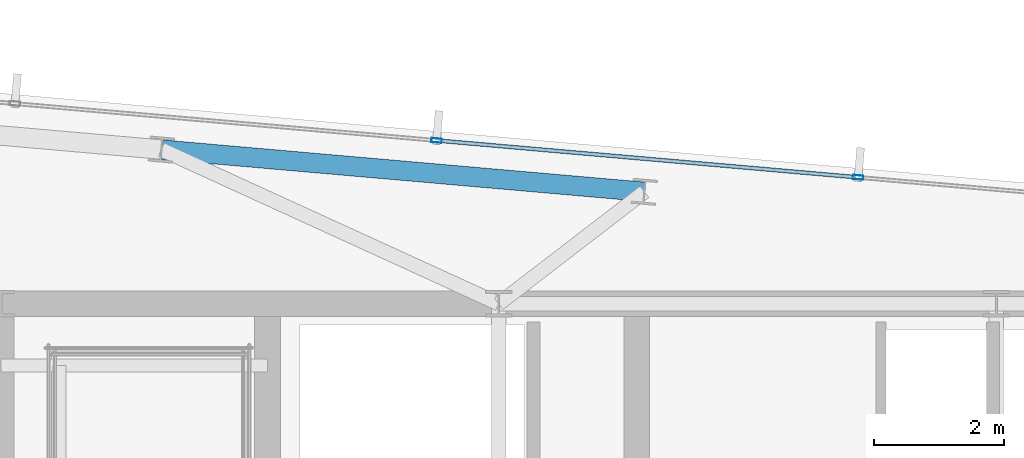
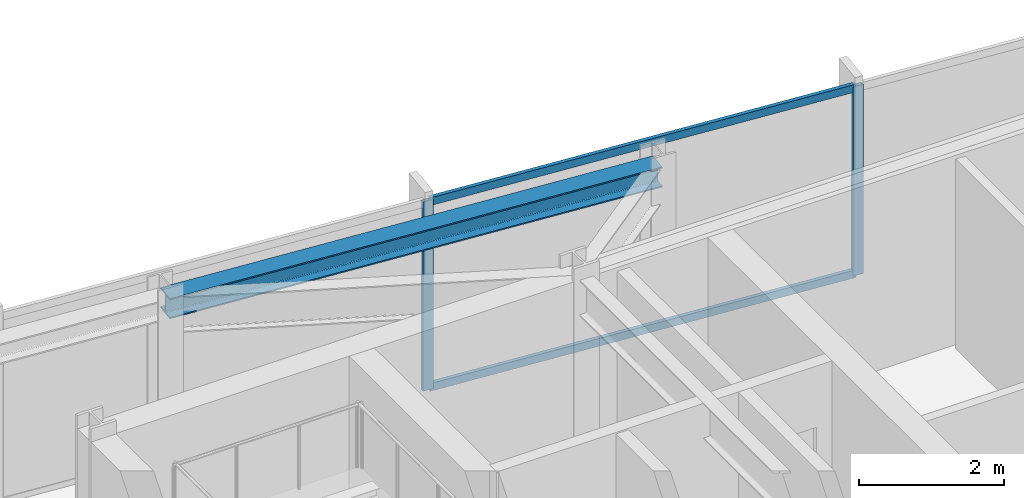
# One storey, part 25 of 32: 4 members, 1 beam, 1 element without a shape of its own.
"""IFC4 building model written with IfcOpenShell, lengths in metres."""

from ifc_helpers import new_model, si_unit, direction, frame, origin, origin_2d, place, context, subcontext, project, spatial, hollow_rectangle, i_section, extrude, material, material_profile, profile_set, type_object, element, aggregate, save


model = new_model("IFC4")

# Units and contexts
model_context = context("Model", 3, precision=1e-05, world=origin(), true_north=direction((0.0, 1.0)))
body_context = subcontext(model_context, "Body", "Model", "MODEL_VIEW")
ifc_project = project(units=[si_unit("LENGTHUNIT", "METRE"), si_unit("AREAUNIT", "SQUARE_METRE"), si_unit("VOLUMEUNIT", "CUBIC_METRE"), si_unit("PLANEANGLEUNIT", "RADIAN"), si_unit("MASSUNIT", "GRAM", prefix="KILO")], contexts=[model_context])

# Site, building, storey
site_placement = place(None, origin())
site = spatial("IfcSite", under=ifc_project, at=site_placement, CompositionType="ELEMENT")
building_placement = place(site_placement, origin())
building = spatial("IfcBuilding", under=site, at=building_placement, Name="Yelkora Congress Tower", CompositionType="ELEMENT")
storey_placement = place(building_placement, frame((0.0, 0.0, 272.699951171875)))
storey = spatial("IfcBuildingStorey", under=building, at=storey_placement, Name="L76", CompositionType="ELEMENT", Elevation=272.699951171875)

# Beam
ifc_material_1 = material(Name="Steel S355J2", Category="steel")
ifc_material_profile_1 = material_profile(ifc_material_1, i_section(OverallWidth=0.300048828125, OverallDepth=0.340087890625, WebThickness=0.011962890625, FlangeThickness=0.021484375, FilletRadius=0.027099609375, at=origin_2d()), Name="HEB 340")
ifc_profile_set_1 = profile_set([ifc_material_profile_1], Name="Steel S355J2")
beam_type = type_object("IfcBeamType", Name="BM-SPAN-HEB340", PredefinedType="SPANDREL", material=ifc_profile_set_1)
beam_placement = place(storey_placement, frame((32.968505859375, 47.927490234375, 3.010009765625), z_axis=(-0.996195771192, 0.087143476284, 0.0), x_axis=(-0.087143476284, -0.996195771192, 0.0)))
element("IfcBeam", 1, at=beam_placement, inside=storey, type_object=beam_type, Name="L76 Perimeter Beam 10", PredefinedType="SPANDREL", context=body_context, shape_type="SweptSolid", body=[
    extrude(i_section(OverallWidth=0.300048828125, OverallDepth=0.340087890625, WebThickness=0.011962890625, FlangeThickness=0.021484375, FilletRadius=0.027099609375, at=origin_2d()), origin(), (0.0, 0.0, 1.0), 7.483154296875),
])

# Curtain wall, members
ifc_material_2 = material(Name="Anodised aluminium and insulated glass", Category="aluminium")
curtain_wall_type = type_object("IfcCurtainWallType", Name="CW-SYS-B5", PredefinedType="NOTDEFINED", material=ifc_material_2)
curtain_wall_placement = place(storey_placement, origin())
curtain_wall = element("IfcCurtainWall", 2, at=curtain_wall_placement, inside=storey, type_object=curtain_wall_type, Name="L76 Unitised Curtain Wall 10", PredefinedType="NOTDEFINED")
ifc_material_3 = material(Name="Anodised aluminium 6063-T6", Category="aluminium")
ifc_material_profile_2 = material_profile(ifc_material_3, hollow_rectangle(XDim=0.06494140625, YDim=0.159912109375, WallThickness=0.00390625, at=origin_2d()), Name="ALU 65x160x4")
ifc_profile_set_2 = profile_set([ifc_material_profile_2], Name="Anodised aluminium 6063-T6")
member_type_1 = type_object("IfcMemberType", Name="MEM-ML-B5", PredefinedType="MULLION", material=ifc_profile_set_2)
member_1_placement = place(storey_placement, frame((29.759765625, 48.719970703125, 0.0), z_axis=(0.0, 0.0, 1.0), x_axis=(0.087156639893, 0.996194619601, 0.0)))
member_1 = element("IfcMember", 3, at=member_1_placement, type_object=member_type_1, Name="CW-B5 mullion 4", PredefinedType="MULLION", context=body_context, shape_type="SweptSolid", body=[
    extrude(hollow_rectangle(XDim=0.06494140625, YDim=0.159912109375, WallThickness=0.00390625, at=origin_2d()), origin(), (0.0, 0.0, 1.0), 3.179931640625),
])
member_2_placement = place(storey_placement, frame((36.266357421875, 48.15087890625, 0.0), z_axis=(0.0, 0.0, 1.0), x_axis=(0.087156639893, 0.996194619601, 0.0)))
member_2 = element("IfcMember", 4, at=member_2_placement, type_object=member_type_1, Name="CW-B5 mullion 5", PredefinedType="MULLION", context=body_context, shape_type="SweptSolid", body=[
    extrude(hollow_rectangle(XDim=0.06494140625, YDim=0.159912109375, WallThickness=0.00390625, at=origin_2d()), origin(), (0.0, 0.0, 1.0), 3.179931640625),
])
ifc_material_profile_3 = material_profile(ifc_material_3, hollow_rectangle(XDim=0.06005859375, YDim=0.1298828125, WallThickness=0.00390625, at=origin_2d()), Name="ALU 60x130x4")
ifc_profile_set_3 = profile_set([ifc_material_profile_3], Name="Anodised aluminium 6063-T6")
member_type_2 = type_object("IfcMemberType", Name="MEM-TR-B5", PredefinedType="USERDEFINED", material=ifc_profile_set_3)
member_3_placement = place(storey_placement, frame((29.7919921875, 48.71728515625, 0.030029296875), z_axis=(0.996192979814, -0.08717538052, 0.0), x_axis=(0.08717538052, 0.996192979814, 0.0)))
member_3 = element("IfcMember", 5, at=member_3_placement, type_object=member_type_2, Name="CW-B5 transom 4.1", ObjectType="TRANSOM", PredefinedType="USERDEFINED", context=body_context, shape_type="SweptSolid", body=[
    extrude(hollow_rectangle(XDim=0.06005859375, YDim=0.1298828125, WallThickness=0.00390625, at=origin_2d()), origin(), (0.0, 0.0, 1.0), 6.466552734375),
])
member_4_placement = place(storey_placement, frame((29.7919921875, 48.71728515625, 3.150146484375), z_axis=(0.996192979814, -0.08717538052, 0.0), x_axis=(0.08717538052, 0.996192979814, 0.0)))
member_4 = element("IfcMember", 6, at=member_4_placement, type_object=member_type_2, Name="CW-B5 transom 4.2", ObjectType="TRANSOM", PredefinedType="USERDEFINED", context=body_context, shape_type="SweptSolid", body=[
    extrude(hollow_rectangle(XDim=0.06005859375, YDim=0.1298828125, WallThickness=0.00390625, at=origin_2d()), origin(), (0.0, 0.0, 1.0), 6.466552734375),
])
aggregate(curtain_wall, [member_1, member_2, member_3, member_4])

save(model, "model.ifc")
